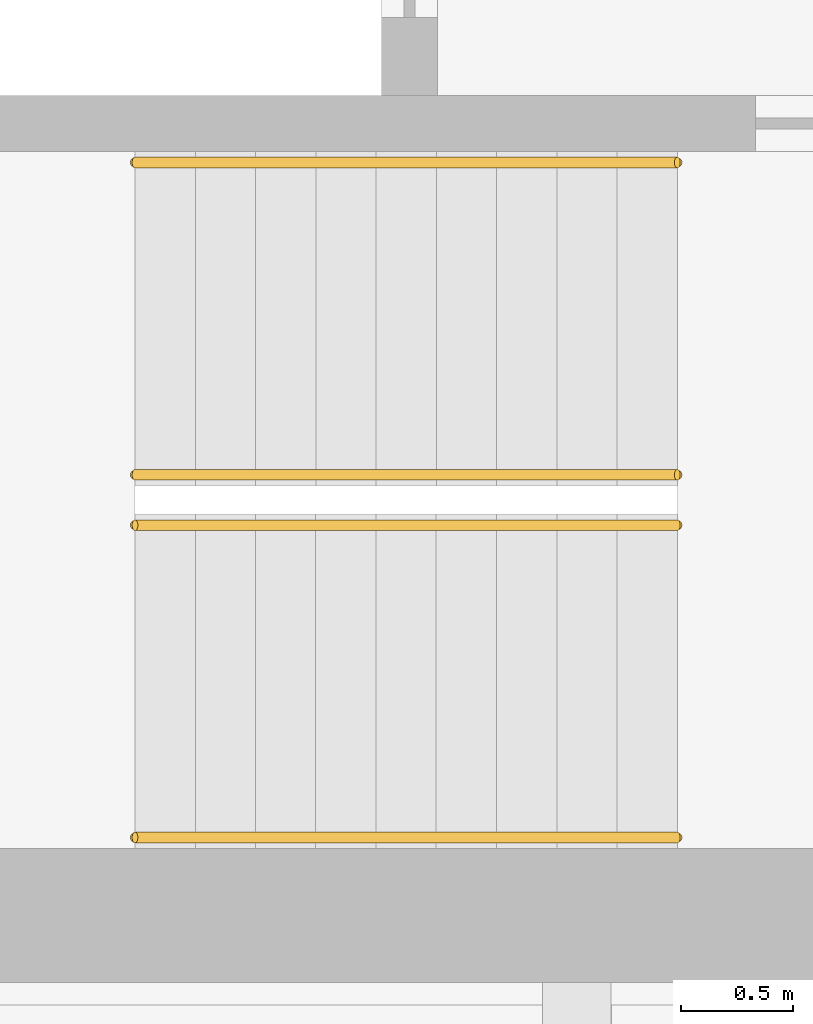
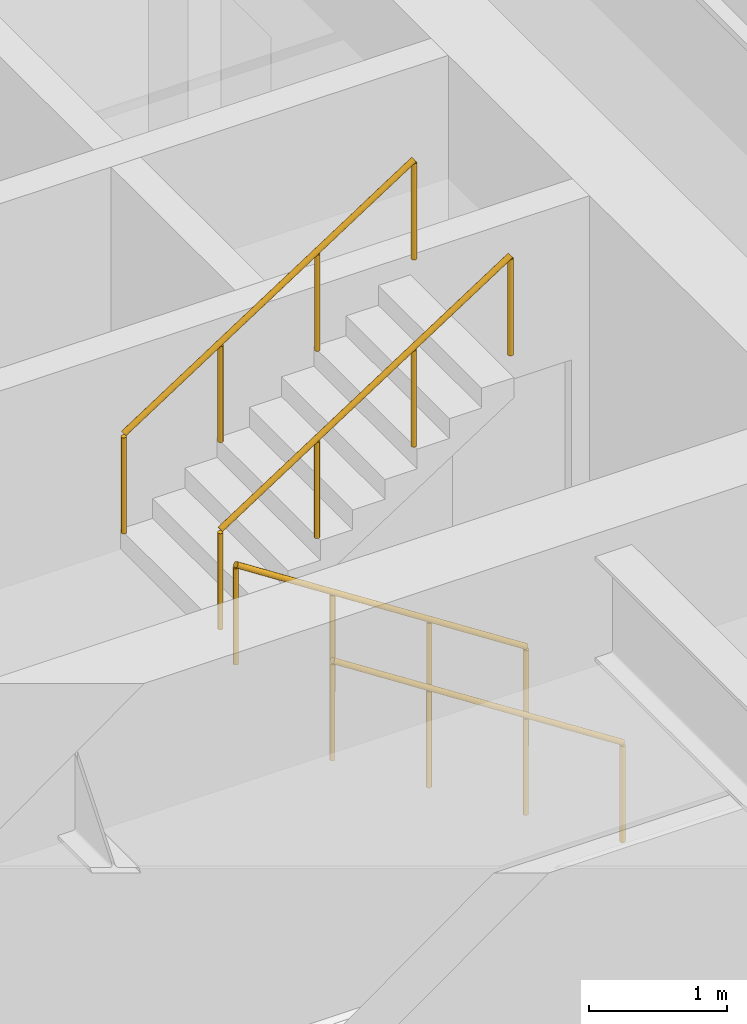
# One storey, part 17 of 21: 4 railings.
"""IFC4 building model written with IfcOpenShell, lengths in metres."""

from ifc_helpers import new_model, si_unit, direction, frame, origin, origin_2d, place, context, subcontext, project, spatial, circle, extrude, material, type_object, element, save


model = new_model("IFC4")

# Units and contexts
model_context = context("Model", 3, precision=1e-05, world=origin(), true_north=direction((0.0, 1.0)))
body_context = subcontext(model_context, "Body", "Model", "MODEL_VIEW")
ifc_project = project(units=[si_unit("LENGTHUNIT", "METRE"), si_unit("AREAUNIT", "SQUARE_METRE"), si_unit("VOLUMEUNIT", "CUBIC_METRE"), si_unit("PLANEANGLEUNIT", "RADIAN"), si_unit("MASSUNIT", "GRAM", prefix="KILO")], contexts=[model_context])

# Site, building, storey
site_placement = place(None, origin())
site = spatial("IfcSite", under=ifc_project, at=site_placement, CompositionType="ELEMENT")
building_placement = place(site_placement, origin())
building = spatial("IfcBuilding", under=site, at=building_placement, Name="Msasa Ring Tower", CompositionType="ELEMENT")
storey_placement = place(building_placement, frame((0.0, 0.0, 72.0)))
storey = spatial("IfcBuildingStorey", under=building, at=storey_placement, Name="L18", CompositionType="ELEMENT", Elevation=72.0)

# Railings
ifc_material = material(Name="Stainless steel", Category="steel")
railing_type = type_object("IfcRailingType", Name="HR1 HANDRAIL 900", PredefinedType="HANDRAIL", material=ifc_material)
for number, where, name in (
    (1, (-10.800048828125, -6.39990234375, 0.175048828125), "Handrail stair SWA L18 1"),
    (2, (-10.800048828125, -5.0, 0.175048828125), "Handrail stair SWA L18 2"),
):
    element("IfcRailing", number, at=place(storey_placement, frame(where)), inside=storey, type_object=railing_type, Name=name, PredefinedType="HANDRAIL", context=body_context, shape_type="SweptSolid", body=[
        extrude(circle(Radius=0.02392578125, at=origin_2d()), frame((0.0, 0.0, 0.8759765625), z_axis=(-0.839153699163, 0.0, 0.543894354798), x_axis=(0.0, -1.0, 0.0)), (0.0, 0.0, 1.0), 2.895751953125),
        extrude(circle(Radius=0.02099609375, at=origin_2d()), origin(), (0.0, 0.0, 1.0), 0.851806640625),
        extrude(circle(Radius=0.02099609375, at=origin_2d()), frame((-0.81005859375, 0.0, 0.52490234375)), (0.0, 0.0, 1.0), 0.851806640625),
        extrude(circle(Radius=0.02099609375, at=origin_2d()), frame((-1.619873046875, 0.0, 1.050048828125)), (0.0, 0.0, 1.0), 0.851806640625),
        extrude(circle(Radius=0.02099609375, at=origin_2d()), frame((-2.429931640625, 0.0, 1.574951171875)), (0.0, 0.0, 1.0), 0.851806640625),
    ])
for number, where, name in (
    (3, (-13.22998046875, -4.77490234375, 1.925048828125), "Handrail stair SWA L18 3"),
    (4, (-13.22998046875, -3.375, 1.925048828125), "Handrail stair SWA L18 4"),
):
    element("IfcRailing", number, at=place(storey_placement, frame(where)), inside=storey, type_object=railing_type, Name=name, PredefinedType="HANDRAIL", context=body_context, shape_type="SweptSolid", body=[
        extrude(circle(Radius=0.02392578125, at=origin_2d()), frame((0.0, 0.0, 0.8759765625), z_axis=(0.839153699163, 0.0, 0.543894354798), x_axis=(0.0, 1.0, 0.0)), (0.0, 0.0, 1.0), 2.895751953125),
        extrude(circle(Radius=0.02099609375, at=origin_2d()), origin(), (0.0, 0.0, 1.0), 0.851806640625),
        extrude(circle(Radius=0.02099609375, at=origin_2d()), frame((0.81005859375, 0.0, 0.52490234375)), (0.0, 0.0, 1.0), 0.851806640625),
        extrude(circle(Radius=0.02099609375, at=origin_2d()), frame((1.619873046875, 0.0, 1.050048828125)), (0.0, 0.0, 1.0), 0.851806640625),
        extrude(circle(Radius=0.02099609375, at=origin_2d()), frame((2.429931640625, 0.0, 1.574951171875)), (0.0, 0.0, 1.0), 0.851806640625),
    ])

save(model, "model.ifc")
